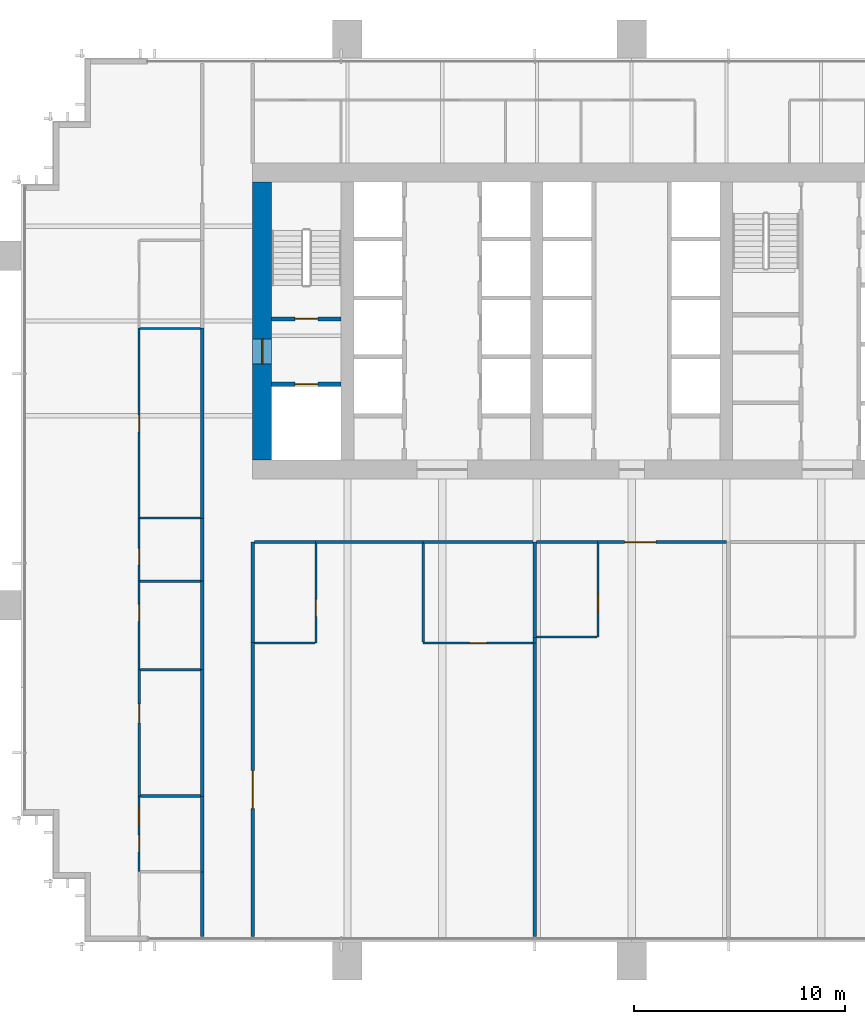
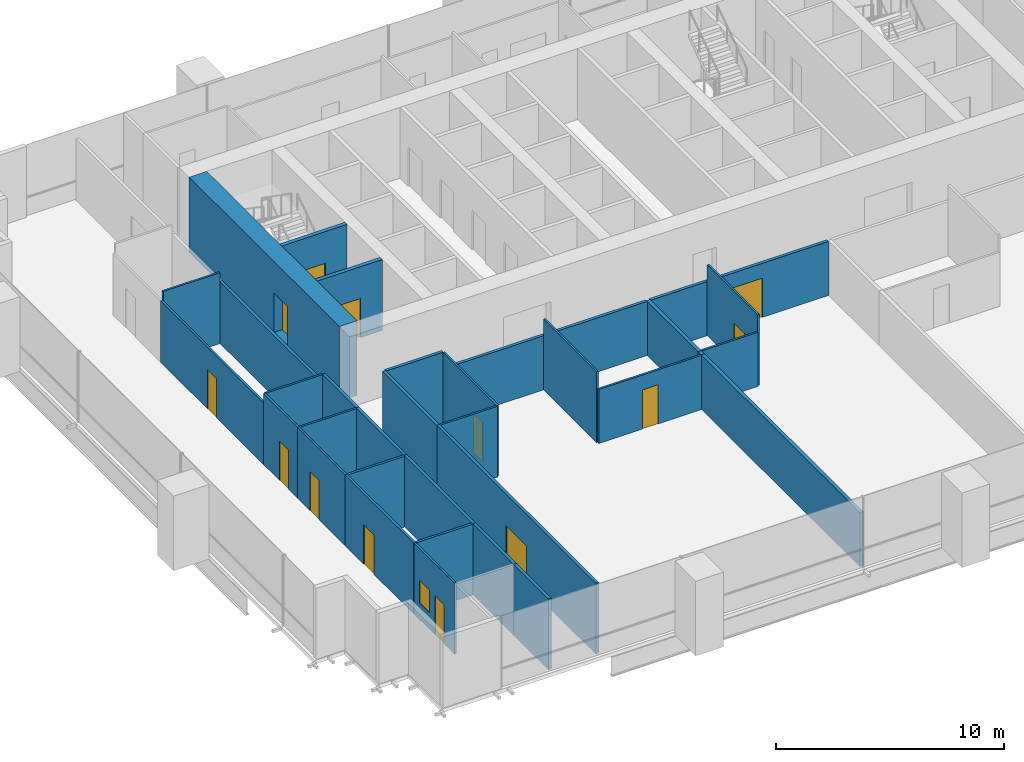
# One storey, part 10 of 15: 35 walls, 13 doors, 1 window, 14 openings.
"""IFC4 building model written with IfcOpenShell, lengths in metres."""

import ifcopenshell
import ifcopenshell.guid

model = None  # the IFC model being written
_history = None  # IfcOwnerHistory: only IFC2X3 demands one
_inside = {}  # id of a spatial element -> (the spatial element, [elements in it])
_under = {}  # id of a project, library or spatial element -> (it, [spatial elements below it])
_declared = {}  # id of a project -> (the project, [libraries it declares])
_typed = {}  # id of a type object -> (the type object, [elements of that type])
_made_of = {}  # id of a material, layer set ... -> (it, [elements and type objects made of it])


def new_model(schema):
    """Start an empty IFC model of exactly this schema.

    Asked for "IFC4X3", IfcOpenShell would pick the latest addendum, in which some entities
    have other attributes; the version numbers below select the first issue.
    IFC2X3 requires an IfcOwnerHistory on every rooted entity: one is made here for all.
    """
    global model, _history
    if schema == "IFC4X3":
        model = ifcopenshell.file(schema_version=(4, 3, 0, 0))
    else:
        model = ifcopenshell.file(schema=schema)
    _inside.clear()
    _under.clear()
    _declared.clear()
    _typed.clear()
    _made_of.clear()
    _history = None
    if model.schema == "IFC2X3":
        org = make("IfcOrganization", Name="unknown")
        user = make(
            "IfcPersonAndOrganization",
            ThePerson=make("IfcPerson", FamilyName="unknown"),
            TheOrganization=org,
        )
        app = make(
            "IfcApplication",
            ApplicationDeveloper=org,
            Version="unknown",
            ApplicationFullName="unknown",
            ApplicationIdentifier="unknown",
        )
        _history = make(
            "IfcOwnerHistory",
            OwningUser=user,
            OwningApplication=app,
            ChangeAction="ADDED",
            CreationDate=0,
        )
    return model


def make(cls, **values):
    """One entity of the class cls with the attributes given. An attribute that is None is left unset."""
    return model.create_entity(
        cls, **{name: value for name, value in values.items() if value is not None}
    )


def rooted(cls, **values):
    """An entity with a GlobalId (a new one), such as an element, a storey or a relation."""
    return make(cls, GlobalId=ifcopenshell.guid.new(), OwnerHistory=_history, **values)


def si_unit(unit_type, name, prefix=None):
    """IfcSIUnit, for example si_unit("LENGTHUNIT", "METRE", prefix="MILLI")."""
    return make("IfcSIUnit", UnitType=unit_type, Prefix=prefix, Name=name)


def assignment(units):
    """IfcUnitAssignment: the units of a project."""
    return None if units is None else make("IfcUnitAssignment", Units=units)


def point(xyz):
    """IfcCartesianPoint."""
    return None if xyz is None else make("IfcCartesianPoint", Coordinates=xyz)


def direction(xyz):
    """IfcDirection."""
    return None if xyz is None else make("IfcDirection", DirectionRatios=xyz)


def frame(location, z_axis=None, x_axis=None):
    """IfcAxis2Placement3D, a coordinate frame: its origin and axes. An axis left out is left unset."""
    return make(
        "IfcAxis2Placement3D",
        Location=point(location),
        Axis=direction(z_axis),
        RefDirection=direction(x_axis),
    )


def frame_2d(location, x_axis=None):
    """IfcAxis2Placement2D, a coordinate frame in the plane: its origin and x axis."""
    return make(
        "IfcAxis2Placement2D", Location=point(location), RefDirection=direction(x_axis)
    )


def origin():
    """The frame at (0, 0, 0) with its axes left unset."""
    return frame((0.0, 0.0, 0.0))


def place(relative_to, where):
    """IfcLocalPlacement: puts the frame where relative to a parent placement (None: the world)."""
    return make(
        "IfcLocalPlacement", PlacementRelTo=relative_to, RelativePlacement=where
    )


def context(
    kind, dimensions, precision=None, world=None, true_north=None, identifier=None
):
    """IfcGeometricRepresentationContext, for example the 3D "Model" context."""
    return make(
        "IfcGeometricRepresentationContext",
        ContextIdentifier=identifier,
        ContextType=kind,
        CoordinateSpaceDimension=dimensions,
        Precision=precision,
        WorldCoordinateSystem=world,
        TrueNorth=true_north,
    )


def subcontext(parent, identifier, kind, view, scale=None):
    """IfcGeometricRepresentationSubContext, for example "Body" below "Model"."""
    return make(
        "IfcGeometricRepresentationSubContext",
        ContextIdentifier=identifier,
        ContextType=kind,
        ParentContext=parent,
        TargetScale=scale,
        TargetView=view,
    )


def project(units=None, contexts=None):
    """IfcProject with its units and contexts."""
    return rooted(
        "IfcProject",
        Name="project",
        RepresentationContexts=contexts,
        UnitsInContext=assignment(units),
    )


def spatial(cls, under=None, at=None, **own):
    """A site, building, storey or space (cls), placed at a placement, below another one or the project."""
    s = rooted(cls, ObjectPlacement=at, **own)
    if under is not None:
        _under.setdefault(under.id(), (under, []))[1].append(s)
    return s


def profile(cls, at=None, kind="AREA", **sizes):
    """A parametric profile (cls). Its sizes go by their IFC names, for example OverallWidth=200.0."""
    return make(cls, ProfileType=kind, Position=at, **sizes)


def rectangle(**sizes):
    """IfcRectangleProfileDef."""
    return profile("IfcRectangleProfileDef", **sizes)


def extrude(swept, where, along, depth):
    """IfcExtrudedAreaSolid: the profile swept, set in the frame where, extruded along a direction by depth."""
    return make(
        "IfcExtrudedAreaSolid",
        SweptArea=swept,
        Position=where,
        ExtrudedDirection=direction(along),
        Depth=depth,
    )


def shape(context_of_items, identifier, shape_type, items):
    """IfcShapeRepresentation: the items that make up one representation, for example the "Body"."""
    return make(
        "IfcShapeRepresentation",
        ContextOfItems=context_of_items,
        RepresentationIdentifier=identifier,
        RepresentationType=shape_type,
        Items=items,
    )


def material(Name=None, Category=None):
    """IfcMaterial."""
    return make("IfcMaterial", Name=Name, Category=Category)


def layer(
    of_material, thickness, ventilated=None, Name=None, Category=None, Priority=None
):
    """IfcMaterialLayer: one layer of a wall or slab, of a material (None: an air gap)."""
    return make(
        "IfcMaterialLayer",
        Material=of_material,
        LayerThickness=thickness,
        IsVentilated=ventilated,
        Name=Name,
        Category=Category,
        Priority=Priority,
    )


def layer_set(layers, Name=None):
    """IfcMaterialLayerSet."""
    return make("IfcMaterialLayerSet", MaterialLayers=layers, LayerSetName=Name)


def made_of(thing, what):
    """Note that an element or type object is made of a material, layer set ...; save() writes the relation."""
    if what is not None:
        _made_of.setdefault(what.id(), (what, []))[1].append(thing)
    return thing


def type_object(cls, material=None, **own):
    """A type object (cls), such as IfcWallType, which elements share."""
    return made_of(rooted(cls, **own), material)


def element(
    cls,
    number,
    at=None,
    inside=None,
    cuts=None,
    type_object=None,
    material=None,
    context=None,
    identifier="Body",
    shape_type=None,
    held_by="IfcProductDefinitionShape",
    body=None,
    shapes=None,
    **own,
):
    """One element of the class cls, such as IfcWall. Its Tag is "e" and its number.

    at: its placement. inside: the storey or other place that contains it. cuts: it is an
    opening in that element (IfcRelVoidsElement). A single representation is given by context,
    identifier, shape_type and body (its items); several are given by shapes. held_by: the class
    of the entity that holds the representations. save() writes the other relations.
    """
    e = rooted(cls, Tag="e%d" % number, ObjectPlacement=at, **own)
    if body is not None:
        shapes = [shape(context, identifier, shape_type, body)]
    if shapes is not None:
        e.Representation = make(held_by, Representations=shapes)
    if inside is not None:
        _inside.setdefault(inside.id(), (inside, []))[1].append(e)
    if cuts is not None:
        rooted(
            "IfcRelVoidsElement", RelatingBuildingElement=cuts, RelatedOpeningElement=e
        )
    if type_object is not None:
        _typed.setdefault(type_object.id(), (type_object, []))[1].append(e)
    return made_of(e, material)


def fill(opening, filler):
    """IfcRelFillsElement: the door or window that sits in an opening."""
    return rooted(
        "IfcRelFillsElement",
        RelatingOpeningElement=opening,
        RelatedBuildingElement=filler,
    )


def aggregate(whole, parts):
    """IfcRelAggregates: a whole, such as a stair, and the parts it consists of."""
    return rooted("IfcRelAggregates", RelatingObject=whole, RelatedObjects=parts)


def save(model, path):
    """Write the relations noted so far, then the file.

    IfcRelAggregates (storeys below a building ...), IfcRelContainedInSpatialStructure (elements
    in a storey), IfcRelDefinesByType, IfcRelAssociatesMaterial and IfcRelDeclares: one each for
    every whole, place, type object, material and project.
    """
    for whole, parts in _under.values():
        aggregate(whole, parts)
    for where, things in _inside.values():
        rooted(
            "IfcRelContainedInSpatialStructure",
            RelatedElements=things,
            RelatingStructure=where,
        )
    for kind, things in _typed.values():
        rooted("IfcRelDefinesByType", RelatedObjects=things, RelatingType=kind)
    for what, things in _made_of.values():
        rooted("IfcRelAssociatesMaterial", RelatedObjects=things, RelatingMaterial=what)
    for by, libraries in _declared.values():
        rooted("IfcRelDeclares", RelatingContext=by, RelatedDefinitions=libraries)
    model.write(path)


model = new_model("IFC4")

# Units and contexts
model_context = context("Model", 3, precision=1e-05, world=origin(), true_north=direction((0.0, 1.0)))
body_context = subcontext(model_context, "Body", "Model", "MODEL_VIEW")
ifc_project = project(units=[si_unit("LENGTHUNIT", "METRE"), si_unit("AREAUNIT", "SQUARE_METRE"), si_unit("VOLUMEUNIT", "CUBIC_METRE"), si_unit("PLANEANGLEUNIT", "RADIAN"), si_unit("MASSUNIT", "GRAM", prefix="KILO")], contexts=[model_context])

# Site, building, storey
site_placement = place(None, origin())
site = spatial("IfcSite", under=ifc_project, at=site_placement, CompositionType="ELEMENT")
building_placement = place(site_placement, origin())
building = spatial("IfcBuilding", under=site, at=building_placement, Name="Rattan Terrace Tower", CompositionType="ELEMENT")
storey_placement = place(building_placement, frame((0.0, 0.0, 142.10009765625)))
storey = spatial("IfcBuildingStorey", under=building, at=storey_placement, Name="L32", CompositionType="ELEMENT", Elevation=142.10009765625)

# Wall, opening, door
ifc_material_1 = material(Name="Gypsum board partition")
ifc_layer_1 = layer(ifc_material_1, 0.199951171875)
ifc_layer_set_1 = layer_set([ifc_layer_1], Name="Core partition 200")
wall_type_1 = type_object("IfcWallType", Name="Core partition 200", PredefinedType="PARTITIONING", material=ifc_layer_set_1)
wall_1_placement = place(storey_placement, frame((-17.10009765625, -3.0, 0.0), z_axis=(0.0, 0.0, 1.0), x_axis=(1.0, 0.0, 0.0)))
wall_1 = element("IfcWall", 1, at=wall_1_placement, inside=storey, type_object=wall_type_1, Name="Fire-fighting lobby wall", PredefinedType="PARTITIONING", context=body_context, shape_type="SweptSolid", body=[
    extrude(rectangle(XDim=3.300048828125, YDim=0.199951171875, at=frame_2d((1.64990234375, 0.0))), origin(), (0.0, 0.0, 1.0), 3.7998046875),
])
opening_1_placement = place(wall_1_placement, frame((1.10009765625, 0.0, 0.0)))
opening_1 = element("IfcOpeningElement", 2, at=opening_1_placement, cuts=wall_1, Name="Opening L32-LD-FF1", PredefinedType="OPENING", context=body_context, shape_type="SweptSolid", body=[
    extrude(rectangle(XDim=1.10009765625, YDim=2.10009765625, at=frame_2d((0.550048828125, 1.050048828125))), frame((0.0, 0.110595703125, 0.0), z_axis=(0.0, -1.0, 0.0), x_axis=(1.0, 0.0, 0.0)), (0.0, 0.0, 1.0), 0.220947265625),
])
ifc_material_2 = material(Name="Brushed stainless landing door panel")
door_type_1 = type_object("IfcDoorType", Name="Core lift landing door 1100", OperationType="DOUBLE_DOOR_SLIDING", PredefinedType="DOOR", material=ifc_material_2)
door_1_placement = place(opening_1_placement, origin())
door_1 = element("IfcDoor", 3, at=door_1_placement, inside=storey, type_object=door_type_1, Name="Door L32-LD-FF1", OperationType="DOUBLE_DOOR_SLIDING", OverallHeight=2.10009765625, OverallWidth=1.10009765625, PredefinedType="DOOR", context=body_context, shape_type="SweptSolid", body=[
    extrude(rectangle(XDim=1.10009765625, YDim=2.10009765625, at=frame_2d((0.550048828125, 1.050048828125))), frame((0.0, 0.02490234375, 0.0), z_axis=(0.0, -1.0, 0.0), x_axis=(1.0, 0.0, 0.0)), (0.0, 0.0, 1.0), 0.050048828125),
])
fill(opening_1, door_1)

wall_2_placement = place(storey_placement, frame((-17.10009765625, 0.10009765625, 0.0), z_axis=(0.0, 0.0, 1.0), x_axis=(1.0, 0.0, 0.0)))
wall_2 = element("IfcWall", 4, at=wall_2_placement, inside=storey, type_object=wall_type_1, Name="Stair enclosure wall", PredefinedType="PARTITIONING", context=body_context, shape_type="SweptSolid", body=[
    extrude(rectangle(XDim=3.300048828125, YDim=0.199951171875, at=frame_2d((1.64990234375, 0.0))), origin(), (0.0, 0.0, 1.0), 3.7998046875),
])
opening_2_placement = place(wall_2_placement, frame((1.10009765625, 0.0, 0.0)))
opening_2 = element("IfcOpeningElement", 5, at=opening_2_placement, cuts=wall_2, Name="Opening L32-D002", PredefinedType="OPENING", context=body_context, shape_type="SweptSolid", body=[
    extrude(rectangle(XDim=1.10009765625, YDim=2.10009765625, at=frame_2d((0.550048828125, 1.050048828125))), frame((0.0, 0.110595703125, 0.0), z_axis=(0.0, -1.0, 0.0), x_axis=(1.0, 0.0, 0.0)), (0.0, 0.0, 1.0), 0.220947265625),
])
ifc_material_3 = material(Name="Hollow-metal fire door leaf")
door_type_2 = type_object("IfcDoorType", Name="Core stair door 1100", OperationType="NOTDEFINED", PredefinedType="DOOR", material=ifc_material_3)
door_2_placement = place(opening_2_placement, origin())
door_2 = element("IfcDoor", 6, at=door_2_placement, inside=storey, type_object=door_type_2, Name="Door L32-D002", OperationType="SINGLE_SWING_RIGHT", OverallHeight=2.10009765625, OverallWidth=1.10009765625, PredefinedType="DOOR", context=body_context, shape_type="SweptSolid", body=[
    extrude(rectangle(XDim=1.10009765625, YDim=2.10009765625, at=frame_2d((0.550048828125, 1.050048828125))), frame((0.0, 0.02490234375, 0.0), z_axis=(0.0, -1.0, 0.0), x_axis=(1.0, 0.0, 0.0)), (0.0, 0.0, 1.0), 0.050048828125),
])
fill(opening_2, door_2)

ifc_material_4 = material(Name="Concrete C60/75", Category="concrete")
ifc_layer_2 = layer(ifc_material_4, 0.89990234375)
ifc_layer_set_2 = layer_set([ifc_layer_2], Name="Core ring wall 900 C60/75")
wall_type_2 = type_object("IfcWallType", Name="Core ring wall 900 C60/75", PredefinedType="SHEAR", material=ifc_layer_set_2)
wall_3_placement = place(storey_placement, frame((-17.550048828125, -6.60009765625, -0.2001953125), z_axis=(0.0, 0.0, 1.0), x_axis=(0.0, 1.0, 0.0)))
wall_3 = element("IfcWall", 7, at=wall_3_placement, inside=storey, type_object=wall_type_2, Name="Rear core wall west", PredefinedType="SHEAR", context=body_context, shape_type="SweptSolid", body=[
    extrude(rectangle(XDim=13.2001953125, YDim=0.89990234375, at=frame_2d((6.60009765625, 0.0))), origin(), (0.0, 0.0, 1.0), 4.0),
])
opening_3_placement = place(wall_3_placement, frame((4.550048828125, 0.0, 0.199951171875)))
opening_3 = element("IfcOpeningElement", 8, at=opening_3_placement, cuts=wall_3, Name="Opening L32-D001", PredefinedType="OPENING", context=body_context, shape_type="SweptSolid", body=[
    extrude(rectangle(XDim=1.199951171875, YDim=2.10009765625, at=frame_2d((0.60009765625, 1.050048828125))), frame((0.0, 0.46044921875, 0.0), z_axis=(0.0, -1.0, 0.0), x_axis=(1.0, 0.0, 0.0)), (0.0, 0.0, 1.0), 0.9208984375),
])
ifc_material_5 = material(Name="Hollow-metal fire door leaf")
door_type_3 = type_object("IfcDoorType", Name="Core fire-fighting lobby door 1200", OperationType="NOTDEFINED", PredefinedType="DOOR", material=ifc_material_5)
door_3_placement = place(opening_3_placement, origin())
door_3 = element("IfcDoor", 9, at=door_3_placement, inside=storey, type_object=door_type_3, Name="Door L32-D001", OperationType="SINGLE_SWING_LEFT", OverallHeight=2.10009765625, OverallWidth=1.199951171875, PredefinedType="DOOR", context=body_context, shape_type="SweptSolid", body=[
    extrude(rectangle(XDim=1.199951171875, YDim=2.10009765625, at=frame_2d((0.60009765625, 1.050048828125))), frame((0.0, 0.02490234375, 0.0), z_axis=(0.0, -1.0, 0.0), x_axis=(1.0, 0.0, 0.0)), (0.0, 0.0, 1.0), 0.050048828125),
])
fill(opening_3, door_3)

# Walls
ifc_material_6 = material(Name="Double steel stud acoustic partition, gypsum board, mineral wool, fire rated", Category="steel")
ifc_layer_3 = layer(ifc_material_6, 0.179931640625)
ifc_layer_set_3 = layer_set([ifc_layer_3], Name="Floors Acoustic Party Wall 180")
wall_type_3 = type_object("IfcWallType", Name="Floors Acoustic Party Wall 180", PredefinedType="PARTITIONING", material=ifc_layer_set_3)
wall_4_placement = place(storey_placement, frame((-4.60009765625, -15.300048828125, 0.0), z_axis=(0.0, 0.0, 1.0), x_axis=(0.0, -1.0, 0.0)))
element("IfcWall", 10, at=wall_4_placement, inside=storey, type_object=wall_type_3, Name="pt-L32-076", PredefinedType="PARTITIONING", context=body_context, shape_type="SweptSolid", body=[
    extrude(rectangle(XDim=13.93994140625, YDim=0.179931640625, at=frame_2d((6.969970703125, 0.0))), origin(), (0.0, 0.0, 1.0), 2.89990234375),
])
wall_5_placement = place(storey_placement, frame((-4.60009765625, -15.02001953125, 0.0), z_axis=(0.0, 0.0, 1.0), x_axis=(0.0, -1.0, 0.0)))
element("IfcWall", 11, at=wall_5_placement, inside=storey, type_object=wall_type_3, Name="pt-L32-077", PredefinedType="PARTITIONING", context=body_context, shape_type="SweptSolid", body=[
    extrude(rectangle(XDim=0.280029296875, YDim=0.179931640625, at=frame_2d((0.14013671875, 0.0))), origin(), (0.0, 0.0, 1.0), 2.89990234375),
])
wall_6_placement = place(storey_placement, frame((-4.60009765625, -10.5, 0.0), z_axis=(0.0, 0.0, 1.0), x_axis=(0.0, -1.0, 0.0)))
element("IfcWall", 12, at=wall_6_placement, inside=storey, type_object=wall_type_3, Name="pt-L32-078", PredefinedType="PARTITIONING", context=body_context, shape_type="SweptSolid", body=[
    extrude(rectangle(XDim=4.52001953125, YDim=0.179931640625, at=frame_2d((2.260009765625, 0.0))), origin(), (0.0, 0.0, 1.0), 2.89990234375),
])

# Wall, openings, door, window
ifc_material_7 = material(Name="Gypsum board partition on steel studs", Category="steel")
ifc_layer_4 = layer(ifc_material_7, 0.10009765625)
ifc_layer_set_4 = layer_set([ifc_layer_4], Name="Floors Partition 100")
wall_type_4 = type_object("IfcWallType", Name="Floors Partition 100", PredefinedType="PARTITIONING", material=ifc_layer_set_4)
wall_7_placement = place(storey_placement, frame((-23.39990234375, -22.580078125, 0.0), z_axis=(0.0, 0.0, 1.0), x_axis=(0.0, -1.0, 0.0)))
wall_7 = element("IfcWall", 13, at=wall_7_placement, inside=storey, type_object=wall_type_4, Name="pt-L32-032", PredefinedType="PARTITIONING", context=body_context, shape_type="SweptSolid", body=[
    extrude(rectangle(XDim=3.559814453125, YDim=0.10009765625, at=frame_2d((1.77978515625, 0.0))), origin(), (0.0, 0.0, 1.0), 3.7998046875),
])
opening_4_placement = place(wall_7_placement, frame((1.83203125, 0.0, 0.0)))
opening_4 = element("IfcOpeningElement", 14, at=opening_4_placement, cuts=wall_7, Name="Opening L32-D102", PredefinedType="OPENING", context=body_context, shape_type="SweptSolid", body=[
    extrude(rectangle(XDim=0.800048828125, YDim=2.10009765625, at=frame_2d((0.39990234375, 1.050048828125))), frame((0.0, 0.060546875, 0.0), z_axis=(0.0, -1.0, 0.0), x_axis=(1.0, 0.0, 0.0)), (0.0, 0.0, 1.0), 0.12109375),
])
opening_5_placement = place(wall_7_placement, frame((0.486083984375, 0.0, 0.89990234375)))
opening_5 = element("IfcOpeningElement", 15, at=opening_5_placement, cuts=wall_7, Name="Opening L32-W100", PredefinedType="OPENING", context=body_context, shape_type="SweptSolid", body=[
    extrude(rectangle(XDim=0.89990234375, YDim=1.199951171875, at=frame_2d((0.449951171875, 0.60009765625))), frame((0.0, 0.060546875, 0.0), z_axis=(0.0, -1.0, 0.0), x_axis=(1.0, 0.0, 0.0)), (0.0, 0.0, 1.0), 0.12109375),
])
ifc_material_8 = material(Name="Solid core timber door, painted", Category="wood")
door_type_4 = type_object("IfcDoorType", Name="Floors Store Door 800x2100", OperationType="NOTDEFINED", PredefinedType="DOOR", material=ifc_material_8)
door_4_placement = place(opening_4_placement, origin())
door_4 = element("IfcDoor", 16, at=door_4_placement, inside=storey, type_object=door_type_4, Name="d-L32-102", OperationType="SINGLE_SWING_RIGHT", OverallHeight=2.10009765625, OverallWidth=0.800048828125, PredefinedType="DOOR", context=body_context, shape_type="SweptSolid", body=[
    extrude(rectangle(XDim=0.800048828125, YDim=2.10009765625, at=frame_2d((0.39990234375, 1.050048828125))), frame((0.0, 0.02490234375, 0.0), z_axis=(0.0, -1.0, 0.0), x_axis=(1.0, 0.0, 0.0)), (0.0, 0.0, 1.0), 0.050048828125),
])
fill(opening_4, door_4)
ifc_material_9 = material(Name="Glass, clear, fixed in aluminium frame", Category="aluminium")
window_type = type_object("IfcWindowType", Name="Interior Vision Window 900x1200", PartitioningType="SINGLE_PANEL", PredefinedType="WINDOW", material=ifc_material_9)
window_placement = place(opening_5_placement, origin())
window = element("IfcWindow", 17, at=window_placement, inside=storey, type_object=window_type, Name="w-L32-100", OverallHeight=1.199951171875, OverallWidth=0.89990234375, PartitioningType="SINGLE_PANEL", PredefinedType="WINDOW", context=body_context, shape_type="SweptSolid", body=[
    extrude(rectangle(XDim=0.89990234375, YDim=1.199951171875, at=frame_2d((0.449951171875, 0.60009765625))), frame((0.0, 0.030029296875, 0.0), z_axis=(0.0, -1.0, 0.0), x_axis=(1.0, 0.0, 0.0)), (0.0, 0.0, 1.0), 0.06005859375),
])
fill(opening_5, window)

# Wall, opening, door
wall_8_placement = place(storey_placement, frame((-23.39990234375, -12.340087890625, 0.0), z_axis=(0.0, 0.0, 1.0), x_axis=(0.0, -1.0, 0.0)))
wall_8 = element("IfcWall", 18, at=wall_8_placement, inside=storey, type_object=wall_type_4, Name="pt-L32-034", PredefinedType="PARTITIONING", context=body_context, shape_type="SweptSolid", body=[
    extrude(rectangle(XDim=4.199951171875, YDim=0.10009765625, at=frame_2d((2.10009765625, 0.0))), origin(), (0.0, 0.0, 1.0), 3.7998046875),
])
opening_6_placement = place(wall_8_placement, frame((1.1201171875, 0.0, 0.0)))
opening_6 = element("IfcOpeningElement", 19, at=opening_6_placement, cuts=wall_8, Name="Opening L32-D104", PredefinedType="OPENING", context=body_context, shape_type="SweptSolid", body=[
    extrude(rectangle(XDim=0.800048828125, YDim=2.10009765625, at=frame_2d((0.39990234375, 1.050048828125))), frame((0.0, 0.060546875, 0.0), z_axis=(0.0, -1.0, 0.0), x_axis=(1.0, 0.0, 0.0)), (0.0, 0.0, 1.0), 0.12109375),
])
door_5_placement = place(opening_6_placement, origin())
door_5 = element("IfcDoor", 20, at=door_5_placement, inside=storey, type_object=door_type_4, Name="d-L32-104", OperationType="SINGLE_SWING_LEFT", OverallHeight=2.10009765625, OverallWidth=0.800048828125, PredefinedType="DOOR", context=body_context, shape_type="SweptSolid", body=[
    extrude(rectangle(XDim=0.800048828125, YDim=2.10009765625, at=frame_2d((0.39990234375, 1.050048828125))), frame((0.0, 0.02490234375, 0.0), z_axis=(0.0, -1.0, 0.0), x_axis=(1.0, 0.0, 0.0)), (0.0, 0.0, 1.0), 0.050048828125),
])
fill(opening_6, door_5)

wall_9_placement = place(storey_placement, frame((-23.39990234375, -9.3798828125, 0.0), z_axis=(0.0, 0.0, 1.0), x_axis=(0.0, -1.0, 0.0)))
wall_9 = element("IfcWall", 21, at=wall_9_placement, inside=storey, type_object=wall_type_4, Name="pt-L32-035", PredefinedType="PARTITIONING", context=body_context, shape_type="SweptSolid", body=[
    extrude(rectangle(XDim=2.960205078125, YDim=0.10009765625, at=frame_2d((1.47998046875, 0.0))), origin(), (0.0, 0.0, 1.0), 3.7998046875),
])
opening_7_placement = place(wall_9_placement, frame((1.412109375, 0.0, 0.0)))
opening_7 = element("IfcOpeningElement", 22, at=opening_7_placement, cuts=wall_9, Name="Opening L32-D105", PredefinedType="OPENING", context=body_context, shape_type="SweptSolid", body=[
    extrude(rectangle(XDim=0.800048828125, YDim=2.10009765625, at=frame_2d((0.39990234375, 1.050048828125))), frame((0.0, 0.060546875, 0.0), z_axis=(0.0, -1.0, 0.0), x_axis=(1.0, 0.0, 0.0)), (0.0, 0.0, 1.0), 0.12109375),
])
door_6_placement = place(opening_7_placement, origin())
door_6 = element("IfcDoor", 23, at=door_6_placement, inside=storey, type_object=door_type_4, Name="d-L32-105", OperationType="SINGLE_SWING_RIGHT", OverallHeight=2.10009765625, OverallWidth=0.800048828125, PredefinedType="DOOR", context=body_context, shape_type="SweptSolid", body=[
    extrude(rectangle(XDim=0.800048828125, YDim=2.10009765625, at=frame_2d((0.39990234375, 1.050048828125))), frame((0.0, 0.02490234375, 0.0), z_axis=(0.0, -1.0, 0.0), x_axis=(1.0, 0.0, 0.0)), (0.0, 0.0, 1.0), 0.050048828125),
])
fill(opening_7, door_6)

wall_10_placement = place(storey_placement, frame((-23.39990234375, -0.340087890625, 0.0), z_axis=(0.0, 0.0, 1.0), x_axis=(0.0, -1.0, 0.0)))
wall_10 = element("IfcWall", 24, at=wall_10_placement, inside=storey, type_object=wall_type_4, Name="pt-L32-036", PredefinedType="PARTITIONING", context=body_context, shape_type="SweptSolid", body=[
    extrude(rectangle(XDim=9.039794921875, YDim=0.10009765625, at=frame_2d((4.52001953125, 0.0))), origin(), (0.0, 0.0, 1.0), 3.2998046875),
])
opening_8_placement = place(wall_10_placement, frame((4.1201171875, 0.0, 0.0)))
opening_8 = element("IfcOpeningElement", 25, at=opening_8_placement, cuts=wall_10, Name="Opening L32-D106", PredefinedType="OPENING", context=body_context, shape_type="SweptSolid", body=[
    extrude(rectangle(XDim=0.800048828125, YDim=2.10009765625, at=frame_2d((0.39990234375, 1.050048828125))), frame((0.0, 0.060546875, 0.0), z_axis=(0.0, -1.0, 0.0), x_axis=(1.0, 0.0, 0.0)), (0.0, 0.0, 1.0), 0.12109375),
])
door_7_placement = place(opening_8_placement, origin())
door_7 = element("IfcDoor", 26, at=door_7_placement, inside=storey, type_object=door_type_4, Name="d-L32-106", OperationType="SINGLE_SWING_LEFT", OverallHeight=2.10009765625, OverallWidth=0.800048828125, PredefinedType="DOOR", context=body_context, shape_type="SweptSolid", body=[
    extrude(rectangle(XDim=0.800048828125, YDim=2.10009765625, at=frame_2d((0.39990234375, 1.050048828125))), frame((0.0, 0.02490234375, 0.0), z_axis=(0.0, -1.0, 0.0), x_axis=(1.0, 0.0, 0.0)), (0.0, 0.0, 1.0), 0.050048828125),
])
fill(opening_8, door_7)

# Walls
for number, where, z_axis, x_axis, name in (
    (27, (-23.35009765625, -12.360107421875, 0.0), (0.0, 0.0, 1.0), (1.0, 0.0, 0.0), "pt-L32-042"),
    (28, (-23.35009765625, -9.360107421875, 0.0), (0.0, 0.0, 1.0), (1.0, 0.0, 0.0), "pt-L32-043"),
    (29, (-23.35009765625, -0.360107421875, 0.0), (0.0, 0.0, 1.0), (1.0, 0.0, 0.0), "pt-L32-044"),
    (30, (-17.925048828125, -15.300048828125, 0.0), (0.0, 0.0, 1.0), (1.0, 0.0, 0.0), "pt-L32-072"),
):
    element("IfcWall", number, at=place(storey_placement, frame(where, z_axis=z_axis, x_axis=x_axis)), inside=storey, type_object=wall_type_4, Name=name, PredefinedType="PARTITIONING", context=body_context, shape_type="SweptSolid", body=[
        extrude(rectangle(XDim=2.875, YDim=0.10009765625, at=frame_2d((1.4375, 0.0))), origin(), (0.0, 0.0, 1.0), 3.7998046875),
    ])

# Wall, opening, door
wall_11_placement = place(storey_placement, frame((-15.0, -15.300048828125, 0.0), z_axis=(0.0, 0.0, 1.0), x_axis=(0.0, 1.0, 0.0)))
wall_11 = element("IfcWall", 31, at=wall_11_placement, inside=storey, type_object=wall_type_4, Name="pt-L32-073", PredefinedType="PARTITIONING", context=body_context, shape_type="SweptSolid", body=[
    extrude(rectangle(XDim=4.72509765625, YDim=0.10009765625, at=frame_2d((2.362548828125, 0.0))), origin(), (0.0, 0.0, 1.0), 3.7998046875),
])
opening_9_placement = place(wall_11_placement, frame((1.278076171875, 0.0, 0.0)))
opening_9 = element("IfcOpeningElement", 32, at=opening_9_placement, cuts=wall_11, Name="Opening L32-D124", PredefinedType="OPENING", context=body_context, shape_type="SweptSolid", body=[
    extrude(rectangle(XDim=0.800048828125, YDim=2.10009765625, at=frame_2d((0.39990234375, 1.050048828125))), frame((0.0, 0.060546875, 0.0), z_axis=(0.0, -1.0, 0.0), x_axis=(1.0, 0.0, 0.0)), (0.0, 0.0, 1.0), 0.12109375),
])
door_8_placement = place(opening_9_placement, origin())
door_8 = element("IfcDoor", 33, at=door_8_placement, inside=storey, type_object=door_type_4, Name="d-L32-124", OperationType="SINGLE_SWING_LEFT", OverallHeight=2.10009765625, OverallWidth=0.800048828125, PredefinedType="DOOR", context=body_context, shape_type="SweptSolid", body=[
    extrude(rectangle(XDim=0.800048828125, YDim=2.10009765625, at=frame_2d((0.39990234375, 1.050048828125))), frame((0.0, 0.02490234375, 0.0), z_axis=(0.0, -1.0, 0.0), x_axis=(1.0, 0.0, 0.0)), (0.0, 0.0, 1.0), 0.050048828125),
])
fill(opening_9, door_8)

# Wall
wall_12_placement = place(storey_placement, frame((-9.89990234375, -10.574951171875, 0.0), z_axis=(0.0, 0.0, 1.0), x_axis=(0.0, -1.0, 0.0)))
element("IfcWall", 34, at=wall_12_placement, inside=storey, type_object=wall_type_4, Name="pt-L32-074", PredefinedType="PARTITIONING", context=body_context, shape_type="SweptSolid", body=[
    extrude(rectangle(XDim=4.675048828125, YDim=0.10009765625, at=frame_2d((2.33740234375, 0.0))), origin(), (0.0, 0.0, 1.0), 3.7998046875),
])

# Wall, opening, door
wall_13_placement = place(storey_placement, frame((-9.89990234375, -15.300048828125, 0.0), z_axis=(0.0, 0.0, 1.0), x_axis=(1.0, 0.0, 0.0)))
wall_13 = element("IfcWall", 35, at=wall_13_placement, inside=storey, type_object=wall_type_4, Name="pt-L32-075", PredefinedType="PARTITIONING", context=body_context, shape_type="SweptSolid", body=[
    extrude(rectangle(XDim=5.2099609375, YDim=0.10009765625, at=frame_2d((2.60498046875, 0.0))), origin(), (0.0, 0.0, 1.0), 2.89990234375),
])
opening_10_placement = place(wall_13_placement, frame((2.205078125, 0.0, 0.0)))
opening_10 = element("IfcOpeningElement", 36, at=opening_10_placement, cuts=wall_13, Name="Opening L32-D125", PredefinedType="OPENING", context=body_context, shape_type="SweptSolid", body=[
    extrude(rectangle(XDim=0.800048828125, YDim=2.10009765625, at=frame_2d((0.39990234375, 1.050048828125))), frame((0.0, 0.060546875, 0.0), z_axis=(0.0, -1.0, 0.0), x_axis=(1.0, 0.0, 0.0)), (0.0, 0.0, 1.0), 0.12109375),
])
door_9_placement = place(opening_10_placement, origin())
door_9 = element("IfcDoor", 37, at=door_9_placement, inside=storey, type_object=door_type_4, Name="d-L32-125", OperationType="SINGLE_SWING_RIGHT", OverallHeight=2.10009765625, OverallWidth=0.800048828125, PredefinedType="DOOR", context=body_context, shape_type="SweptSolid", body=[
    extrude(rectangle(XDim=0.800048828125, YDim=2.10009765625, at=frame_2d((0.39990234375, 1.050048828125))), frame((0.0, 0.02490234375, 0.0), z_axis=(0.0, -1.0, 0.0), x_axis=(1.0, 0.0, 0.0)), (0.0, 0.0, 1.0), 0.050048828125),
])
fill(opening_10, door_9)

# Wall
wall_14_placement = place(storey_placement, frame((-4.510009765625, -15.0, 0.0), z_axis=(0.0, 0.0, 1.0), x_axis=(1.0, 0.0, 0.0)))
element("IfcWall", 38, at=wall_14_placement, inside=storey, type_object=wall_type_4, Name="pt-L32-079", PredefinedType="PARTITIONING", context=body_context, shape_type="SweptSolid", body=[
    extrude(rectangle(XDim=2.860107421875, YDim=0.10009765625, at=frame_2d((1.43017578125, 0.0))), origin(), (0.0, 0.0, 1.0), 2.89990234375),
])

# Wall, opening, door
wall_15_placement = place(storey_placement, frame((-1.60009765625, -15.0, 0.0), z_axis=(0.0, 0.0, 1.0), x_axis=(0.0, 1.0, 0.0)))
wall_15 = element("IfcWall", 39, at=wall_15_placement, inside=storey, type_object=wall_type_4, Name="pt-L32-080", PredefinedType="PARTITIONING", context=body_context, shape_type="SweptSolid", body=[
    extrude(rectangle(XDim=4.425048828125, YDim=0.10009765625, at=frame_2d((2.21240234375, 0.0))), origin(), (0.0, 0.0, 1.0), 3.7998046875),
])
opening_11_placement = place(wall_15_placement, frame((1.157958984375, 0.0, 0.0)))
opening_11 = element("IfcOpeningElement", 40, at=opening_11_placement, cuts=wall_15, Name="Opening L32-D127", PredefinedType="OPENING", context=body_context, shape_type="SweptSolid", body=[
    extrude(rectangle(XDim=0.89990234375, YDim=2.10009765625, at=frame_2d((0.449951171875, 1.050048828125))), frame((0.0, 0.060546875, 0.0), z_axis=(0.0, -1.0, 0.0), x_axis=(1.0, 0.0, 0.0)), (0.0, 0.0, 1.0), 0.12109375),
])
ifc_material_10 = material(Name="Solid core timber door, painted", Category="wood")
door_type_5 = type_object("IfcDoorType", Name="Floors Door 900x2100", OperationType="NOTDEFINED", PredefinedType="DOOR", material=ifc_material_10)
door_10_placement = place(opening_11_placement, origin())
door_10 = element("IfcDoor", 41, at=door_10_placement, inside=storey, type_object=door_type_5, Name="d-L32-127", OperationType="SINGLE_SWING_LEFT", OverallHeight=2.10009765625, OverallWidth=0.89990234375, PredefinedType="DOOR", context=body_context, shape_type="SweptSolid", body=[
    extrude(rectangle(XDim=0.89990234375, YDim=2.10009765625, at=frame_2d((0.449951171875, 1.050048828125))), frame((0.0, 0.02490234375, 0.0), z_axis=(0.0, -1.0, 0.0), x_axis=(1.0, 0.0, 0.0)), (0.0, 0.0, 1.0), 0.050048828125),
])
fill(opening_11, door_10)

# Walls
ifc_material_11 = material(Name="Gypsum board partition on steel studs, fire rated", Category="steel")
ifc_layer_5 = layer(ifc_material_11, 0.14990234375)
ifc_layer_set_5 = layer_set([ifc_layer_5], Name="Floors Tenancy Wall 150")
wall_type_5 = type_object("IfcWallType", Name="Floors Tenancy Wall 150", PredefinedType="PARTITIONING", material=ifc_layer_set_5)
wall_16_placement = place(storey_placement, frame((-20.39990234375, -29.239990234375, 0.0), z_axis=(0.0, 0.0, 1.0), x_axis=(0.0, 1.0, 0.0)))
element("IfcWall", 42, at=wall_16_placement, inside=storey, type_object=wall_type_5, Name="pt-L32-002", PredefinedType="PARTITIONING", context=body_context, shape_type="SweptSolid", body=[
    extrude(rectangle(XDim=3.06005859375, YDim=0.14990234375, at=frame_2d((1.530029296875, 0.0))), origin(), (0.0, 0.0, 1.0), 3.7998046875),
])
wall_17_placement = place(storey_placement, frame((-20.39990234375, -26.179931640625, 0.0), z_axis=(0.0, 0.0, 1.0), x_axis=(0.0, 1.0, 0.0)))
element("IfcWall", 43, at=wall_17_placement, inside=storey, type_object=wall_type_5, Name="pt-L32-003", PredefinedType="PARTITIONING", context=body_context, shape_type="SweptSolid", body=[
    extrude(rectangle(XDim=3.599853515625, YDim=0.14990234375, at=frame_2d((1.7998046875, 0.0))), origin(), (0.0, 0.0, 1.0), 3.7998046875),
])
wall_18_placement = place(storey_placement, frame((-20.39990234375, -22.580078125, 0.0), z_axis=(0.0, 0.0, 1.0), x_axis=(0.0, 1.0, 0.0)))
element("IfcWall", 44, at=wall_18_placement, inside=storey, type_object=wall_type_5, Name="pt-L32-004", PredefinedType="PARTITIONING", context=body_context, shape_type="SweptSolid", body=[
    extrude(rectangle(XDim=6.0400390625, YDim=0.14990234375, at=frame_2d((3.02001953125, 0.0))), origin(), (0.0, 0.0, 1.0), 3.7998046875),
])
wall_19_placement = place(storey_placement, frame((-20.39990234375, -16.5400390625, 0.0), z_axis=(0.0, 0.0, 1.0), x_axis=(0.0, 1.0, 0.0)))
element("IfcWall", 45, at=wall_19_placement, inside=storey, type_object=wall_type_5, Name="pt-L32-005", PredefinedType="PARTITIONING", context=body_context, shape_type="SweptSolid", body=[
    extrude(rectangle(XDim=4.199951171875, YDim=0.14990234375, at=frame_2d((2.10009765625, 0.0))), origin(), (0.0, 0.0, 1.0), 3.7998046875),
])
wall_20_placement = place(storey_placement, frame((-20.39990234375, -12.340087890625, 0.0), z_axis=(0.0, 0.0, 1.0), x_axis=(0.0, 1.0, 0.0)))
element("IfcWall", 46, at=wall_20_placement, inside=storey, type_object=wall_type_5, Name="pt-L32-006", PredefinedType="PARTITIONING", context=body_context, shape_type="SweptSolid", body=[
    extrude(rectangle(XDim=2.960205078125, YDim=0.14990234375, at=frame_2d((1.47998046875, 0.0))), origin(), (0.0, 0.0, 1.0), 3.7998046875),
])
wall_21_placement = place(storey_placement, frame((-20.39990234375, -9.3798828125, 0.0), z_axis=(0.0, 0.0, 1.0), x_axis=(0.0, 1.0, 0.0)))
element("IfcWall", 47, at=wall_21_placement, inside=storey, type_object=wall_type_5, Name="pt-L32-007", PredefinedType="PARTITIONING", context=body_context, shape_type="SweptSolid", body=[
    extrude(rectangle(XDim=9.039794921875, YDim=0.14990234375, at=frame_2d((4.52001953125, 0.0))), origin(), (0.0, 0.0, 1.0), 3.2998046875),
])

# Wall, opening, door
wall_22_placement = place(storey_placement, frame((-18.0, -15.280029296875, 0.0), z_axis=(0.0, 0.0, 1.0), x_axis=(0.0, -1.0, 0.0)))
wall_22 = element("IfcWall", 48, at=wall_22_placement, inside=storey, type_object=wall_type_5, Name="pt-L32-021", PredefinedType="PARTITIONING", context=body_context, shape_type="SweptSolid", body=[
    extrude(rectangle(XDim=13.9599609375, YDim=0.14990234375, at=frame_2d((6.97998046875, 0.0))), origin(), (0.0, 0.0, 1.0), 3.7998046875),
])
opening_12_placement = place(wall_22_placement, frame((6.080078125, 0.0, 0.0)))
opening_12 = element("IfcOpeningElement", 49, at=opening_12_placement, cuts=wall_22, Name="Opening L32-D123", PredefinedType="OPENING", context=body_context, shape_type="SweptSolid", body=[
    extrude(rectangle(XDim=1.800048828125, YDim=2.10009765625, at=frame_2d((0.89990234375, 1.050048828125))), frame((0.0, 0.08544921875, 0.0), z_axis=(0.0, -1.0, 0.0), x_axis=(1.0, 0.0, 0.0)), (0.0, 0.0, 1.0), 0.1708984375),
])
ifc_material_12 = material(Name="Steel fire door set", Category="steel")
door_type_6 = type_object("IfcDoorType", Name="Floors Fire Door Pair FD30S 1800x2100", OperationType="NOTDEFINED", PredefinedType="DOOR", material=ifc_material_12)
door_11_placement = place(opening_12_placement, origin())
door_11 = element("IfcDoor", 50, at=door_11_placement, inside=storey, type_object=door_type_6, Name="d-L32-123", OperationType="DOUBLE_DOOR_SINGLE_SWING", OverallHeight=2.10009765625, OverallWidth=1.800048828125, PredefinedType="DOOR", context=body_context, shape_type="SweptSolid", body=[
    extrude(rectangle(XDim=1.800048828125, YDim=2.10009765625, at=frame_2d((0.89990234375, 1.050048828125))), frame((0.0, 0.02490234375, 0.0), z_axis=(0.0, -1.0, 0.0), x_axis=(1.0, 0.0, 0.0)), (0.0, 0.0, 1.0), 0.050048828125),
])
fill(opening_12, door_11)

# Walls
wall_23_placement = place(storey_placement, frame((-9.919921875, -10.5, 0.0), z_axis=(0.0, 0.0, 1.0), x_axis=(-1.0, 0.0, 0.0)))
element("IfcWall", 51, at=wall_23_placement, inside=storey, type_object=wall_type_5, Name="pt-L32-022", PredefinedType="PARTITIONING", context=body_context, shape_type="SweptSolid", body=[
    extrude(rectangle(XDim=5.10009765625, YDim=0.14990234375, at=frame_2d((2.550048828125, 0.0))), origin(), (0.0, 0.0, 1.0), 2.89990234375),
])
wall_24_placement = place(storey_placement, frame((-18.0, -10.5, 0.0), z_axis=(0.0, 0.0, 1.0), x_axis=(0.0, -1.0, 0.0)))
element("IfcWall", 52, at=wall_24_placement, inside=storey, type_object=wall_type_5, Name="pt-L32-023", PredefinedType="PARTITIONING", context=body_context, shape_type="SweptSolid", body=[
    extrude(rectangle(XDim=4.780029296875, YDim=0.14990234375, at=frame_2d((2.39013671875, 0.0))), origin(), (0.0, 0.0, 1.0), 3.7998046875),
])
wall_25_placement = place(storey_placement, frame((-15.02001953125, -10.5, 0.0), z_axis=(0.0, 0.0, 1.0), x_axis=(-1.0, 0.0, 0.0)))
element("IfcWall", 53, at=wall_25_placement, inside=storey, type_object=wall_type_5, Name="pt-L32-024", PredefinedType="PARTITIONING", context=body_context, shape_type="SweptSolid", body=[
    extrude(rectangle(XDim=2.905029296875, YDim=0.14990234375, at=frame_2d((1.45263671875, 0.0))), origin(), (0.0, 0.0, 1.0), 3.7998046875),
])
wall_26_placement = place(storey_placement, frame((-4.68994140625, -10.5, 0.0), z_axis=(0.0, 0.0, 1.0), x_axis=(-1.0, 0.0, 0.0)))
element("IfcWall", 54, at=wall_26_placement, inside=storey, type_object=wall_type_5, Name="pt-L32-025", PredefinedType="PARTITIONING", context=body_context, shape_type="SweptSolid", body=[
    extrude(rectangle(XDim=5.22998046875, YDim=0.14990234375, at=frame_2d((2.614990234375, 0.0))), origin(), (0.0, 0.0, 1.0), 2.89990234375),
])

# Wall, opening, door
wall_27_placement = place(storey_placement, frame((4.510009765625, -10.5, 0.0), z_axis=(0.0, 0.0, 1.0), x_axis=(-1.0, 0.0, 0.0)))
wall_27 = element("IfcWall", 55, at=wall_27_placement, inside=storey, type_object=wall_type_5, Name="pt-L32-026", PredefinedType="PARTITIONING", context=body_context, shape_type="SweptSolid", body=[
    extrude(rectangle(XDim=6.130126953125, YDim=0.14990234375, at=frame_2d((3.06494140625, 0.0))), origin(), (0.0, 0.0, 1.0), 2.89990234375),
])
opening_13_placement = place(wall_27_placement, frame((3.347900390625, 0.0, 0.0)))
opening_13 = element("IfcOpeningElement", 56, at=opening_13_placement, cuts=wall_27, Name="Opening L32-D126", PredefinedType="OPENING", context=body_context, shape_type="SweptSolid", body=[
    extrude(rectangle(XDim=1.5, YDim=2.10009765625, at=frame_2d((0.75, 1.050048828125))), frame((0.0, 0.08544921875, 0.0), z_axis=(0.0, -1.0, 0.0), x_axis=(1.0, 0.0, 0.0)), (0.0, 0.0, 1.0), 0.1708984375),
])
ifc_material_13 = material(Name="Steel fire door set", Category="steel")
door_type_7 = type_object("IfcDoorType", Name="Floors Unit Door Pair FD30S 1500x2100", OperationType="NOTDEFINED", PredefinedType="DOOR", material=ifc_material_13)
door_12_placement = place(opening_13_placement, origin())
door_12 = element("IfcDoor", 57, at=door_12_placement, inside=storey, type_object=door_type_7, Name="d-L32-126", OperationType="DOUBLE_DOOR_SINGLE_SWING", OverallHeight=2.10009765625, OverallWidth=1.5, PredefinedType="DOOR", context=body_context, shape_type="SweptSolid", body=[
    extrude(rectangle(XDim=1.5, YDim=2.10009765625, at=frame_2d((0.75, 1.050048828125))), frame((0.0, 0.02490234375, 0.0), z_axis=(0.0, -1.0, 0.0), x_axis=(1.0, 0.0, 0.0)), (0.0, 0.0, 1.0), 0.050048828125),
])
fill(opening_13, door_12)

# Wall
wall_28_placement = place(storey_placement, frame((-1.6201171875, -10.5, 0.0), z_axis=(0.0, 0.0, 1.0), x_axis=(-1.0, 0.0, 0.0)))
element("IfcWall", 58, at=wall_28_placement, inside=storey, type_object=wall_type_5, Name="pt-L32-027", PredefinedType="PARTITIONING", context=body_context, shape_type="SweptSolid", body=[
    extrude(rectangle(XDim=2.889892578125, YDim=0.14990234375, at=frame_2d((1.44482421875, 0.0))), origin(), (0.0, 0.0, 1.0), 2.89990234375),
])

# Wall, opening, door
ifc_material_14 = material(Name="Moisture resistant gypsum board partition on steel studs with service cavity", Category="steel")
ifc_layer_6 = layer(ifc_material_14, 0.1201171875)
ifc_layer_set_6 = layer_set([ifc_layer_6], Name="Floors Wet Wall 120")
wall_type_6 = type_object("IfcWallType", Name="Floors Wet Wall 120", PredefinedType="PARTITIONING", material=ifc_layer_set_6)
wall_29_placement = place(storey_placement, frame((-23.39990234375, -16.5400390625, 0.0), z_axis=(0.0, 0.0, 1.0), x_axis=(0.0, -1.0, 0.0)))
wall_29 = element("IfcWall", 59, at=wall_29_placement, inside=storey, type_object=wall_type_6, Name="pt-L32-033", PredefinedType="PARTITIONING", context=body_context, shape_type="SweptSolid", body=[
    extrude(rectangle(XDim=6.0400390625, YDim=0.1201171875, at=frame_2d((3.02001953125, 0.0))), origin(), (0.0, 0.0, 1.0), 3.7998046875),
])
opening_14_placement = place(wall_29_placement, frame((1.64208984375, 0.0, 0.0)))
opening_14 = element("IfcOpeningElement", 60, at=opening_14_placement, cuts=wall_29, Name="Opening L32-D103", PredefinedType="OPENING", context=body_context, shape_type="SweptSolid", body=[
    extrude(rectangle(XDim=0.89990234375, YDim=2.10009765625, at=frame_2d((0.449951171875, 1.050048828125))), frame((0.0, 0.070556640625, 0.0), z_axis=(0.0, -1.0, 0.0), x_axis=(1.0, 0.0, 0.0)), (0.0, 0.0, 1.0), 0.14111328125),
])
door_13_placement = place(opening_14_placement, origin())
door_13 = element("IfcDoor", 61, at=door_13_placement, inside=storey, type_object=door_type_5, Name="d-L32-103", OperationType="SINGLE_SWING_LEFT", OverallHeight=2.10009765625, OverallWidth=0.89990234375, PredefinedType="DOOR", context=body_context, shape_type="SweptSolid", body=[
    extrude(rectangle(XDim=0.89990234375, YDim=2.10009765625, at=frame_2d((0.449951171875, 1.050048828125))), frame((0.0, 0.02490234375, 0.0), z_axis=(0.0, -1.0, 0.0), x_axis=(1.0, 0.0, 0.0)), (0.0, 0.0, 1.0), 0.050048828125),
])
fill(opening_14, door_13)

# Walls
for number, where, z_axis, x_axis, name in (
    (62, (-23.340087890625, -22.56005859375, 0.0), (0.0, 0.0, 1.0), (1.0, 0.0, 0.0), "pt-L32-040"),
    (63, (-23.340087890625, -16.56005859375, 0.0), (0.0, 0.0, 1.0), (1.0, 0.0, 0.0), "pt-L32-041"),
):
    element("IfcWall", number, at=place(storey_placement, frame(where, z_axis=z_axis, x_axis=x_axis)), inside=storey, type_object=wall_type_6, Name=name, PredefinedType="PARTITIONING", context=body_context, shape_type="SweptSolid", body=[
        extrude(rectangle(XDim=2.864990234375, YDim=0.1201171875, at=frame_2d((1.4326171875, 0.0))), origin(), (0.0, 0.0, 1.0), 3.7998046875),
    ])

save(model, "model.ifc")
